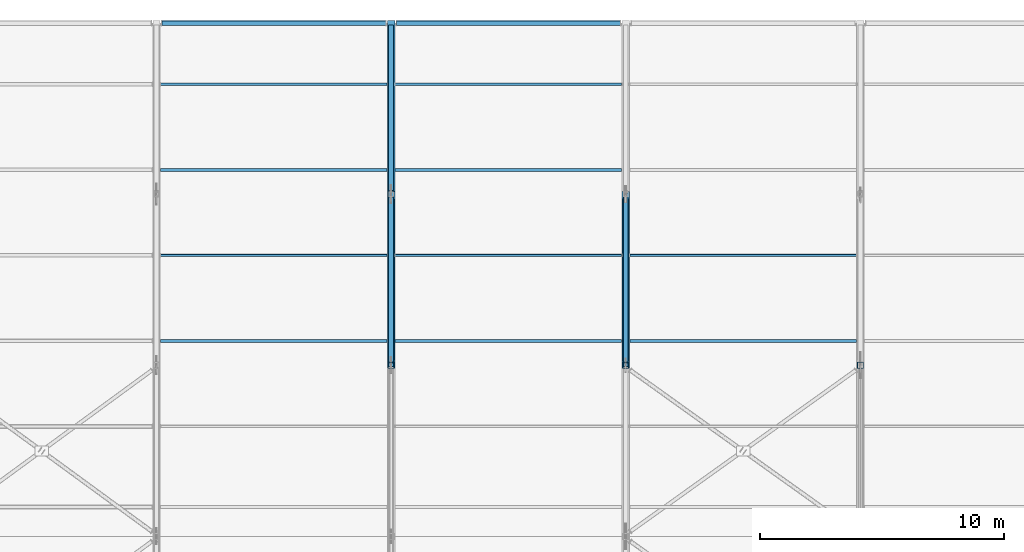
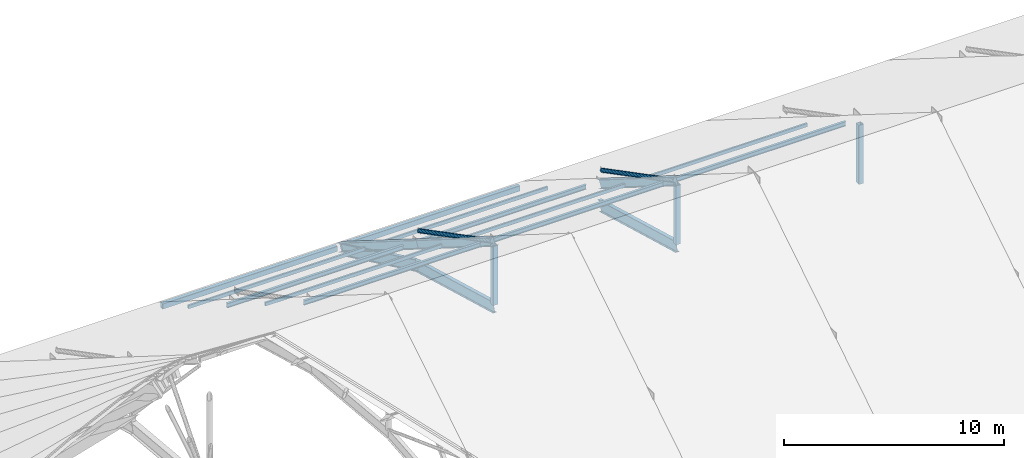
# One storey, part 12 of 66: 18 members, 5 beams.
"""IFC4 building model written with IfcOpenShell, lengths in metres."""

from ifc_helpers import new_model, si_unit, direction, frame, origin, origin_2d, place, context, subcontext, project, spatial, hollow_rectangle, hollow_circle, i_section, extrude, material, material_profile, profile_set, type_object, element, save


model = new_model("IFC4")

# Units and contexts
model_context = context("Model", 3, precision=1e-05, world=origin(), true_north=direction((0.0, 1.0)))
body_context = subcontext(model_context, "Body", "Model", "MODEL_VIEW")
ifc_project = project(units=[si_unit("LENGTHUNIT", "METRE"), si_unit("AREAUNIT", "SQUARE_METRE"), si_unit("VOLUMEUNIT", "CUBIC_METRE"), si_unit("PLANEANGLEUNIT", "RADIAN"), si_unit("MASSUNIT", "GRAM", prefix="KILO")], contexts=[model_context])

# Site, building, storey
site_placement = place(None, origin())
site = spatial("IfcSite", under=ifc_project, at=site_placement, CompositionType="ELEMENT")
building_placement = place(site_placement, origin())
building = spatial("IfcBuilding", under=site, at=building_placement, Name="Yeouljin Market Hall", CompositionType="ELEMENT")
storey_placement = place(building_placement, frame((0.0, 0.0, 23.39990234375)))
storey = spatial("IfcBuildingStorey", under=building, at=storey_placement, Name="RF", CompositionType="ELEMENT", Elevation=23.39990234375)

# Beams
ifc_material_1 = material(Name="Steel SM355", Category="steel")
ifc_material_profile_1 = material_profile(ifc_material_1, i_section(OverallWidth=0.199951171875, OverallDepth=0.60009765625, WebThickness=0.010986328125, FlangeThickness=0.01708984375, FilletRadius=0.02197265625, at=origin_2d()), Name="H-600x200x11x17")
ifc_profile_set_1 = profile_set([ifc_material_profile_1], Name="Steel SM355")
beam_type_1 = type_object("IfcBeamType", Name="Beam_H-600x200x11x17", PredefinedType="BEAM", material=ifc_profile_set_1)
beam_1_placement = place(storey_placement, frame((54.60009765625, 64.02001953125, -7.144287109375), z_axis=(0.0, 0.963516941196, -0.267647350124), x_axis=(-1.0, 0.0, 0.0)))
element("IfcBeam", 1, at=beam_1_placement, inside=storey, type_object=beam_type_1, Name="Truss AT-03 arch rib 5", PredefinedType="BEAM", context=body_context, shape_type="SweptSolid", body=[
    extrude(i_section(OverallWidth=0.199951171875, OverallDepth=0.60009765625, WebThickness=0.010986328125, FlangeThickness=0.01708984375, FilletRadius=0.02197265625, at=origin_2d()), origin(), (0.0, 0.0, 1.0), 7.223388671875),
])
beam_2_placement = place(storey_placement, frame((54.60009765625, 71.02001953125, -9.07763671875), z_axis=(0.0, 0.903192091176, -0.429236585623), x_axis=(-1.0, 0.0, 0.0)))
element("IfcBeam", 2, at=beam_2_placement, inside=storey, type_object=beam_type_1, Name="Truss AT-03 arch rib 6", PredefinedType="BEAM", context=body_context, shape_type="SweptSolid", body=[
    extrude(i_section(OverallWidth=0.199951171875, OverallDepth=0.60009765625, WebThickness=0.010986328125, FlangeThickness=0.01708984375, FilletRadius=0.02197265625, at=origin_2d()), origin(), (0.0, 0.0, 1.0), 7.5068359375),
])
beam_3_placement = place(storey_placement, frame((64.199951171875, 64.02001953125, -7.144287109375), z_axis=(0.0, 0.963516941196, -0.267647350124), x_axis=(-1.0, 0.0, 0.0)))
element("IfcBeam", 3, at=beam_3_placement, inside=storey, type_object=beam_type_1, Name="Truss AT-04 arch rib 5", PredefinedType="BEAM", context=body_context, shape_type="SweptSolid", body=[
    extrude(i_section(OverallWidth=0.199951171875, OverallDepth=0.60009765625, WebThickness=0.010986328125, FlangeThickness=0.01708984375, FilletRadius=0.02197265625, at=origin_2d()), origin(), (0.0, 0.0, 1.0), 7.223388671875),
])
ifc_material_2 = material(Name="Steel SM355", Category="steel")
ifc_material_profile_2 = material_profile(ifc_material_2, hollow_rectangle(XDim=0.199951171875, YDim=0.300048828125, WallThickness=0.009033203125, InnerFilletRadius=0.009033203125, OuterFilletRadius=0.01611328125, at=origin_2d()), Name="RHS-300x200x9")
ifc_profile_set_2 = profile_set([ifc_material_profile_2], Name="Steel SM355")
beam_type_2 = type_object("IfcBeamType", Name="Beam_RHS-300x200x9", PredefinedType="BEAM", material=ifc_profile_set_2)
for number, where, z_axis, x_axis, name in (
    (4, (45.216064453125, 78.0, -12.27978515625), (1.0, 0.0, 0.0), (0.0, 1.0, 0.0), "Hall eaves girder N02"),
    (5, (54.81591796875, 78.0, -12.27978515625), (1.0, 0.0, 0.0), (0.0, 1.0, 0.0), "Hall eaves girder N03"),
):
    element("IfcBeam", number, at=place(storey_placement, frame(where, z_axis=z_axis, x_axis=x_axis)), inside=storey, type_object=beam_type_2, Name=name, PredefinedType="BEAM", context=body_context, shape_type="SweptSolid", body=[
        extrude(hollow_rectangle(XDim=0.199951171875, YDim=0.300048828125, WallThickness=0.009033203125, InnerFilletRadius=0.009033203125, OuterFilletRadius=0.01611328125, at=origin_2d()), origin(), (0.0, 0.0, 1.0), 9.16796875),
    ])

# Members
ifc_material_3 = material(Name="Steel SM355", Category="steel")
ifc_material_profile_3 = material_profile(ifc_material_3, hollow_circle(Radius=0.108154296875, WallThickness=0.008056640625, at=origin_2d()), Name="CHS-216.3x8")
ifc_profile_set_3 = profile_set([ifc_material_profile_3], Name="Steel SM355")
member_type_1 = type_object("IfcMemberType", Name="Brace_CHS-216.3x8", PredefinedType="BRACE", material=ifc_profile_set_3)
for number, where, z_axis, x_axis, name in (
    (6, (54.60009765625, 64.195068359375, -3.6015625), (0.0, 0.886995164265, -0.461778711691), (-1.0, 0.0, 0.0), "Truss AT-03 web diagonal 5"),
    (7, (64.199951171875, 64.195068359375, -3.6015625), (0.0, 0.886995164265, -0.461778711691), (-1.0, 0.0, 0.0), "Truss AT-04 web diagonal 5"),
):
    element("IfcMember", number, at=place(storey_placement, frame(where, z_axis=z_axis, x_axis=x_axis)), inside=storey, type_object=member_type_1, Name=name, PredefinedType="BRACE", context=body_context, shape_type="SweptSolid", body=[
        extrude(hollow_circle(Radius=0.108154296875, WallThickness=0.008056640625, at=origin_2d()), origin(), (0.0, 0.0, 1.0), 7.451904296875),
    ])
ifc_material_4 = material(Name="Steel SM355", Category="steel")
ifc_material_profile_4 = material_profile(ifc_material_4, i_section(OverallWidth=0.300048828125, OverallDepth=0.43994140625, WebThickness=0.010986328125, FlangeThickness=0.01806640625, FilletRadius=0.02001953125, at=origin_2d()), Name="H-440x300x11x18")
ifc_profile_set_4 = profile_set([ifc_material_profile_4], Name="Steel SM355")
member_type_2 = type_object("IfcMemberType", Name="Chord_H-440x300x11x18", PredefinedType="CHORD", material=ifc_profile_set_4)
for number, where, z_axis, x_axis, name in (
    (8, (54.60009765625, 64.0, -3.5), (0.0, 0.846641870869, -0.53216307885), (-1.0, 0.0, 0.0), "Truss AT-03 top chord 5"),
    (9, (54.60009765625, 71.0, -7.89990234375), (0.0, 0.846641870869, -0.53216307885), (-1.0, 0.0, 0.0), "Truss AT-03 top chord 6"),
    (10, (64.199951171875, 64.0, -3.5), (0.0, 0.846641870869, -0.53216307885), (-1.0, 0.0, 0.0), "Truss AT-04 top chord 5"),
):
    element("IfcMember", number, at=place(storey_placement, frame(where, z_axis=z_axis, x_axis=x_axis)), inside=storey, type_object=member_type_2, Name=name, PredefinedType="CHORD", context=body_context, shape_type="SweptSolid", body=[
        extrude(i_section(OverallWidth=0.300048828125, OverallDepth=0.43994140625, WebThickness=0.010986328125, FlangeThickness=0.01806640625, FilletRadius=0.02001953125, at=origin_2d()), origin(), (0.0, 0.0, 1.0), 8.26806640625),
    ])
ifc_material_5 = material(Name="Steel SM355", Category="steel")
ifc_material_profile_5 = material_profile(ifc_material_5, i_section(OverallWidth=0.125, OverallDepth=0.25, WebThickness=0.006103515625, FlangeThickness=0.009033203125, FilletRadius=0.011962890625, at=origin_2d()), Name="H-250x125x6x9")
ifc_profile_set_5 = profile_set([ifc_material_profile_5], Name="Steel SM355")
member_type_3 = type_object("IfcMemberType", Name="Purlin_H-250x125x6x9", PredefinedType="PURLIN", material=ifc_profile_set_5)
for number, where, z_axis, x_axis, name in (
    (11, (45.166015625, 65.0, -4.20849609375), (1.0, 0.0, 0.0), (0.0, 1.0, 0.0), "Nave roof purlin 021"),
    (12, (45.166015625, 72.0, -8.6083984375), (1.0, 0.0, 0.0), (0.0, 1.0, 0.0), "Nave roof purlin 023"),
):
    element("IfcMember", number, at=place(storey_placement, frame(where, z_axis=z_axis, x_axis=x_axis)), inside=storey, type_object=member_type_3, Name=name, PredefinedType="PURLIN", context=body_context, shape_type="SweptSolid", body=[
        extrude(i_section(OverallWidth=0.125, OverallDepth=0.25, WebThickness=0.006103515625, FlangeThickness=0.009033203125, FilletRadius=0.011962890625, at=origin_2d()), origin(), (0.0, 0.0, 1.0), 9.26806640625),
    ])
for number, where, z_axis, x_axis, name in (
    (13, (54.76611328125, 65.0, -4.20849609375), (1.0, 0.0, 0.0), (0.0, 1.0, 0.0), "Nave roof purlin 033"),
    (14, (54.76611328125, 72.0, -8.6083984375), (1.0, 0.0, 0.0), (0.0, 1.0, 0.0), "Nave roof purlin 035"),
):
    element("IfcMember", number, at=place(storey_placement, frame(where, z_axis=z_axis, x_axis=x_axis)), inside=storey, type_object=member_type_3, Name=name, PredefinedType="PURLIN", context=body_context, shape_type="SweptSolid", body=[
        extrude(i_section(OverallWidth=0.125, OverallDepth=0.25, WebThickness=0.006103515625, FlangeThickness=0.009033203125, FilletRadius=0.011962890625, at=origin_2d()), origin(), (0.0, 0.0, 1.0), 9.267822265625),
    ])
member_1_placement = place(storey_placement, frame((64.365966796875, 65.0, -4.20849609375), z_axis=(1.0, 0.0, 0.0), x_axis=(0.0, 1.0, 0.0)))
element("IfcMember", 15, at=member_1_placement, inside=storey, type_object=member_type_3, Name="Nave roof purlin 045", PredefinedType="PURLIN", context=body_context, shape_type="SweptSolid", body=[
    extrude(i_section(OverallWidth=0.125, OverallDepth=0.25, WebThickness=0.006103515625, FlangeThickness=0.009033203125, FilletRadius=0.011962890625, at=origin_2d()), origin(), (0.0, 0.0, 1.0), 9.26806640625),
])
ifc_material_6 = material(Name="Steel SS275", Category="steel")
ifc_material_profile_6 = material_profile(ifc_material_6, hollow_rectangle(XDim=0.10009765625, YDim=0.199951171875, WallThickness=0.006103515625, InnerFilletRadius=0.006103515625, OuterFilletRadius=0.011962890625, at=origin_2d()), Name="RHS-200x100x6")
ifc_profile_set_6 = profile_set([ifc_material_profile_6], Name="Steel SS275")
member_type_4 = type_object("IfcMemberType", Name="Purlin_RHS-200x100x6", PredefinedType="PURLIN", material=ifc_profile_set_6)
for number, where, z_axis, x_axis, name in (
    (16, (45.166015625, 68.5, -6.408447265625), (1.0, 0.0, 0.0), (0.0, 1.0, 0.0), "Nave roof purlin 022"),
    (17, (45.166015625, 75.5, -10.80859375), (1.0, 0.0, 0.0), (0.0, 1.0, 0.0), "Nave roof purlin 024"),
):
    element("IfcMember", number, at=place(storey_placement, frame(where, z_axis=z_axis, x_axis=x_axis)), inside=storey, type_object=member_type_4, Name=name, PredefinedType="PURLIN", context=body_context, shape_type="SweptSolid", body=[
        extrude(hollow_rectangle(XDim=0.10009765625, YDim=0.199951171875, WallThickness=0.006103515625, InnerFilletRadius=0.006103515625, OuterFilletRadius=0.011962890625, at=origin_2d()), origin(), (0.0, 0.0, 1.0), 9.26806640625),
    ])
for number, where, z_axis, x_axis, name in (
    (18, (54.76611328125, 68.5, -6.408447265625), (1.0, 0.0, 0.0), (0.0, 1.0, 0.0), "Nave roof purlin 034"),
    (19, (54.76611328125, 75.5, -10.80859375), (1.0, 0.0, 0.0), (0.0, 1.0, 0.0), "Nave roof purlin 036"),
):
    element("IfcMember", number, at=place(storey_placement, frame(where, z_axis=z_axis, x_axis=x_axis)), inside=storey, type_object=member_type_4, Name=name, PredefinedType="PURLIN", context=body_context, shape_type="SweptSolid", body=[
        extrude(hollow_rectangle(XDim=0.10009765625, YDim=0.199951171875, WallThickness=0.006103515625, InnerFilletRadius=0.006103515625, OuterFilletRadius=0.011962890625, at=origin_2d()), origin(), (0.0, 0.0, 1.0), 9.267822265625),
    ])
member_2_placement = place(storey_placement, frame((64.365966796875, 68.5, -6.408447265625), z_axis=(1.0, 0.0, 0.0), x_axis=(0.0, 1.0, 0.0)))
element("IfcMember", 20, at=member_2_placement, inside=storey, type_object=member_type_4, Name="Nave roof purlin 046", PredefinedType="PURLIN", context=body_context, shape_type="SweptSolid", body=[
    extrude(hollow_rectangle(XDim=0.10009765625, YDim=0.199951171875, WallThickness=0.006103515625, InnerFilletRadius=0.006103515625, OuterFilletRadius=0.011962890625, at=origin_2d()), origin(), (0.0, 0.0, 1.0), 9.26806640625),
])
ifc_material_7 = material(Name="Steel SM355", Category="steel")
ifc_material_profile_7 = material_profile(ifc_material_7, hollow_rectangle(XDim=0.25, YDim=0.25, WallThickness=0.009033203125, InnerFilletRadius=0.009033203125, OuterFilletRadius=0.01611328125, at=origin_2d()), Name="SHS-250x250x9")
ifc_profile_set_7 = profile_set([ifc_material_profile_7], Name="Steel SM355")
member_type_5 = type_object("IfcMemberType", Name="Strut_SHS-250x250x9", PredefinedType="STRUT", material=ifc_profile_set_7)
for number, where, z_axis, x_axis, name in (
    (21, (54.60009765625, 64.0, -6.96435546875), (0.0, 0.0, 1.0), (1.0, 0.0, 0.0), "Truss AT-03 vertical strut 4"),
    (22, (64.199951171875, 64.0, -6.96435546875), (0.0, 0.0, 1.0), (1.0, 0.0, 0.0), "Truss AT-04 vertical strut 4"),
    (23, (73.800048828125, 64.0, -6.96435546875), (0.0, 0.0, 1.0), (1.0, 0.0, 0.0), "Truss AT-05 vertical strut 4"),
):
    element("IfcMember", number, at=place(storey_placement, frame(where, z_axis=z_axis, x_axis=x_axis)), inside=storey, type_object=member_type_5, Name=name, PredefinedType="STRUT", context=body_context, shape_type="SweptSolid", body=[
        extrude(hollow_rectangle(XDim=0.25, YDim=0.25, WallThickness=0.009033203125, InnerFilletRadius=0.009033203125, OuterFilletRadius=0.01611328125, at=origin_2d()), origin(), (0.0, 0.0, 1.0), 3.284423828125),
    ])

save(model, "model.ifc")
